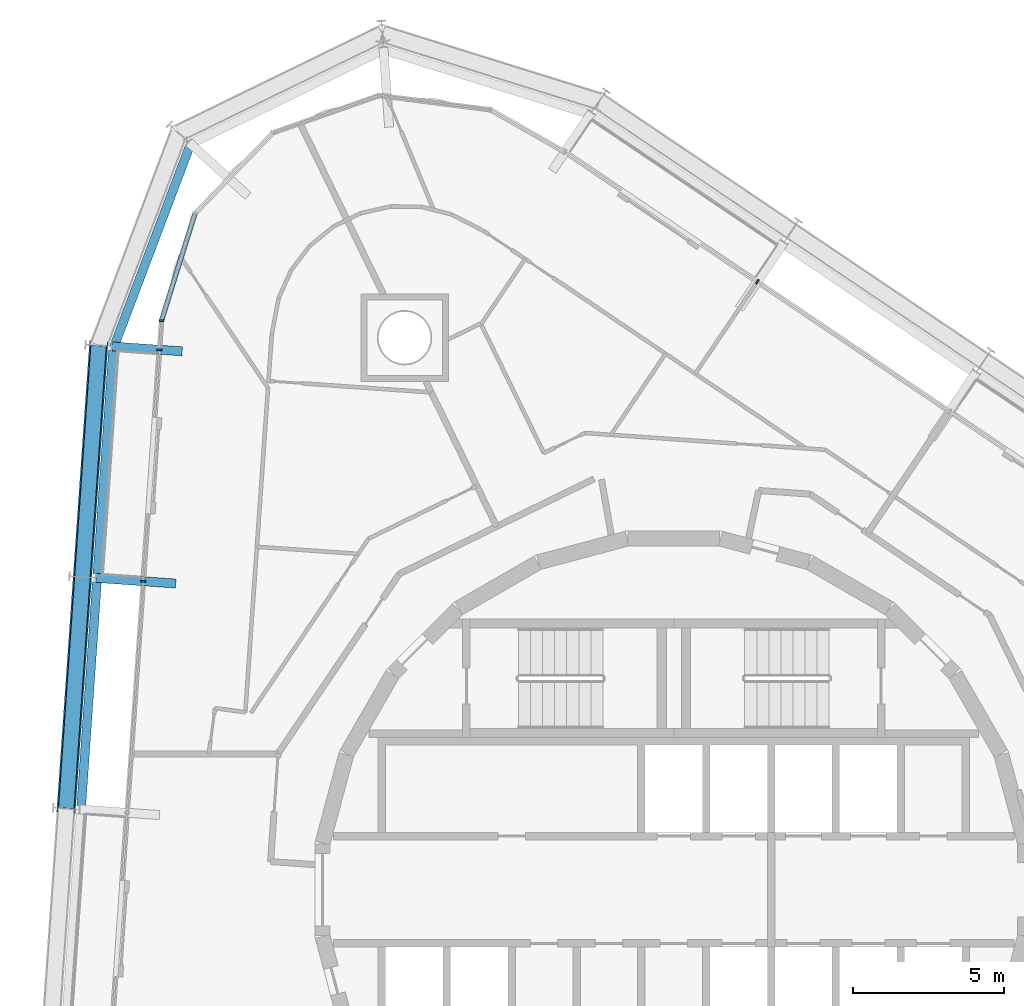
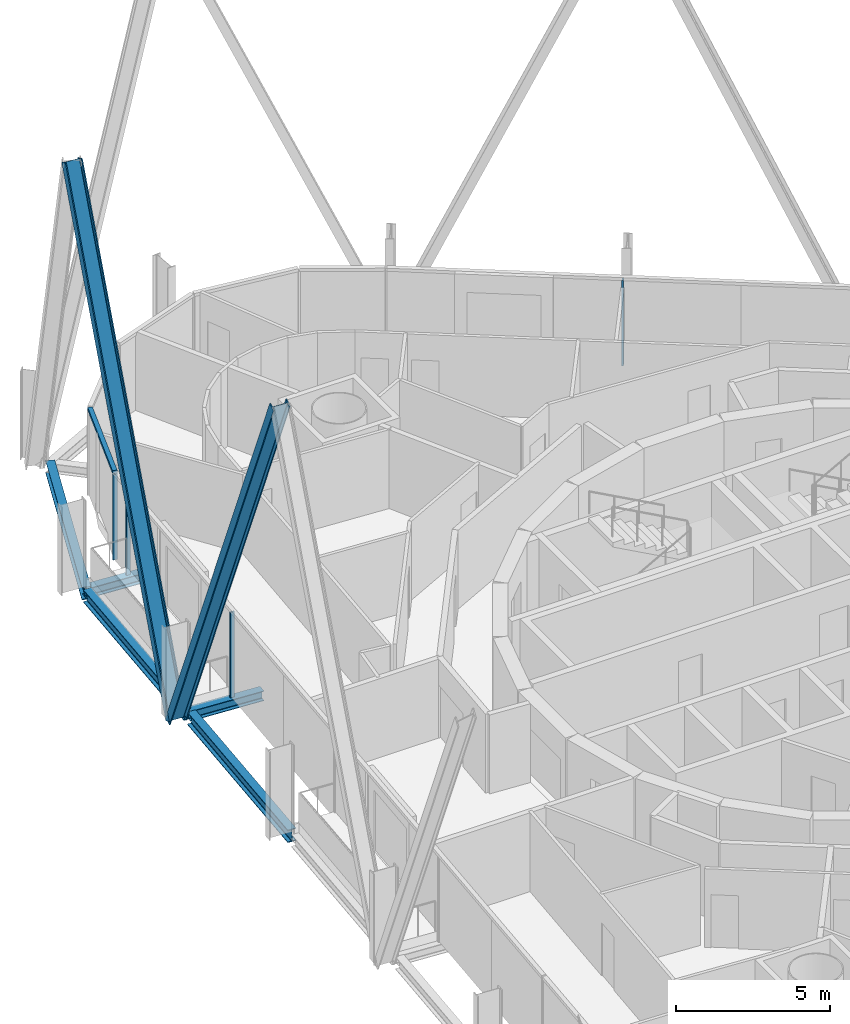
# One storey, part 6 of 18: 7 members, 5 beams, 3 elements without a shape of their own.
"""IFC4 building model written with IfcOpenShell, lengths in metres."""

from ifc_helpers import new_model, si_unit, direction, frame, origin, origin_2d, place, context, subcontext, project, spatial, rectangle, i_section, extrude, material, layer, layer_set, material_profile, profile_set, type_object, element, aggregate, save


model = new_model("IFC4")

# Units and contexts
model_context = context("Model", 3, precision=1e-05, world=origin(), true_north=direction((0.0, 1.0)))
body_context = subcontext(model_context, "Body", "Model", "MODEL_VIEW")
ifc_project = project(units=[si_unit("LENGTHUNIT", "METRE"), si_unit("AREAUNIT", "SQUARE_METRE"), si_unit("VOLUMEUNIT", "CUBIC_METRE"), si_unit("PLANEANGLEUNIT", "RADIAN"), si_unit("MASSUNIT", "GRAM", prefix="KILO")], contexts=[model_context])

# Site, building, storey
site_placement = place(None, origin())
site = spatial("IfcSite", under=ifc_project, at=site_placement, CompositionType="ELEMENT")
building_placement = place(site_placement, origin())
building = spatial("IfcBuilding", under=site, at=building_placement, Name="Spindle Arch Residences", CompositionType="ELEMENT")
storey_placement = place(building_placement, frame((0.0, 0.0, 202.39990234375)))
storey = spatial("IfcBuildingStorey", under=building, at=storey_placement, Name="L51", CompositionType="ELEMENT", Elevation=202.39990234375)

# Curtain wall, member
ifc_material_1 = material(Name="Aluminium bronze unitised frame with tinted glass", Category="aluminium")
ifc_layer_1 = layer(ifc_material_1, 0.159912109375)
ifc_layer_set_1 = layer_set([ifc_layer_1], Name="CW-C typical residential unitised wall")
curtain_wall_type_1 = type_object("IfcCurtainWallType", Name="CW-C typical residential unitised wall", PredefinedType="NOTDEFINED", material=ifc_layer_set_1)
curtain_wall_1_placement = place(storey_placement, origin())
curtain_wall_1 = element("IfcCurtainWall", 1, at=curtain_wall_1_placement, inside=storey, type_object=curtain_wall_type_1, Name="CW-C L51 run 2", PredefinedType="NOTDEFINED")
ifc_material_2 = material(Name="Aluminium bronze anodised mullion", Category="aluminium")
ifc_material_profile_1 = material_profile(ifc_material_2, rectangle(XDim=0.159912109375, YDim=0.06005859375, at=origin_2d()), Name="MU 60x160")
ifc_profile_set_1 = profile_set([ifc_material_profile_1], Name="Aluminium bronze anodised mullion")
member_type_1 = type_object("IfcMemberType", Name="Bronze mullion 60x160", PredefinedType="MULLION", material=ifc_profile_set_1)
member_1_placement = place(storey_placement, frame((2.769775390625, 20.158203125, -0.3798828125), z_axis=(0.0, 0.0, 1.0), x_axis=(-0.559192903471, -0.829037572555, 0.0)))
member_1 = element("IfcMember", 2, at=member_1_placement, type_object=member_type_1, Name="CW-C mullion 08", PredefinedType="MULLION", context=body_context, shape_type="SweptSolid", body=[
    extrude(rectangle(XDim=0.159912109375, YDim=0.06005859375, at=origin_2d()), origin(), (0.0, 0.0, 1.0), 3.3798828125),
])
aggregate(curtain_wall_1, [member_1])

ifc_material_3 = material(Name="Aluminium bronze unitised frame with tinted glass", Category="aluminium")
ifc_layer_2 = layer(ifc_material_3, 0.159912109375)
ifc_layer_set_2 = layer_set([ifc_layer_2], Name="CW-D corner wall on the fillet arcs")
curtain_wall_type_2 = type_object("IfcCurtainWallType", Name="CW-D corner wall on the fillet arcs", PredefinedType="NOTDEFINED", material=ifc_layer_set_2)
curtain_wall_2_placement = place(storey_placement, origin())
curtain_wall_2 = element("IfcCurtainWall", 3, at=curtain_wall_2_placement, inside=storey, type_object=curtain_wall_type_2, Name="CW-D L51 run 3", PredefinedType="NOTDEFINED")
member_2_placement = place(storey_placement, frame((-16.986328125, 18.864501953125, -0.3798828125), z_axis=(0.0, 0.0, 1.0), x_axis=(0.99756405026, -0.069756473744, 0.0)))
member_2 = element("IfcMember", 4, at=member_2_placement, type_object=member_type_1, Name="CW-D mullion 05", PredefinedType="MULLION", context=body_context, shape_type="SweptSolid", body=[
    extrude(rectangle(XDim=0.159912109375, YDim=0.06005859375, at=origin_2d()), origin(), (0.0, 0.0, 1.0), 3.3798828125),
])

# Curtain wall, members
curtain_wall_3_placement = place(storey_placement, origin())
curtain_wall_3 = element("IfcCurtainWall", 5, at=curtain_wall_3_placement, inside=storey, type_object=curtain_wall_type_1, Name="CW-C L51 run 4", PredefinedType="NOTDEFINED")
member_3_placement = place(storey_placement, frame((-17.053466796875, 17.90283203125, -0.3798828125), z_axis=(0.0, 0.0, 1.0), x_axis=(0.99756405026, -0.069756473744, 0.0)))
member_3 = element("IfcMember", 6, at=member_3_placement, type_object=member_type_1, Name="CW-C mullion 12", PredefinedType="MULLION", context=body_context, shape_type="SweptSolid", body=[
    extrude(rectangle(XDim=0.159912109375, YDim=0.06005859375, at=origin_2d()), origin(), (0.0, 0.0, 1.0), 3.3798828125),
])
member_4_placement = place(storey_placement, frame((-17.590087890625, 10.22802734375, -0.3798828125), z_axis=(0.0, 0.0, 1.0), x_axis=(0.99756405026, -0.069756473744, 0.0)))
member_4 = element("IfcMember", 7, at=member_4_placement, type_object=member_type_1, Name="CW-C mullion 13", PredefinedType="MULLION", context=body_context, shape_type="SweptSolid", body=[
    extrude(rectangle(XDim=0.159912109375, YDim=0.06005859375, at=origin_2d()), origin(), (0.0, 0.0, 1.0), 3.3798828125),
])
aggregate(curtain_wall_3, [member_3, member_4])

# Member
ifc_material_4 = material(Name="Aluminium bronze anodised transom", Category="aluminium")
ifc_material_profile_2 = material_profile(ifc_material_4, rectangle(XDim=0.159912109375, YDim=0.1201171875, at=origin_2d()), Name="TR 120x160")
ifc_profile_set_2 = profile_set([ifc_material_profile_2], Name="Aluminium bronze anodised transom")
member_type_2 = type_object("IfcMemberType", Name="Bronze transom 120x160", PredefinedType="USERDEFINED", material=ifc_profile_set_2)
member_5_placement = place(storey_placement, frame((-15.884765625, 22.393310546875, 3.06005859375), z_axis=(-0.297952730594, -0.95458062537, 0.0), x_axis=(0.95458062537, -0.297952730594, 0.0)))
member_5 = element("IfcMember", 8, at=member_5_placement, type_object=member_type_2, Name="CW-D transom 04", ObjectType="TRANSOM", PredefinedType="USERDEFINED", context=body_context, shape_type="SweptSolid", body=[
    extrude(rectangle(XDim=0.159912109375, YDim=0.1201171875, at=origin_2d()), origin(), (0.0, 0.0, 1.0), 3.666748046875),
])

aggregate(curtain_wall_2, [member_5, member_2])

# Members
ifc_material_5 = material(Name="Steel S460ML, intumescent coating R 240", Category="steel")
ifc_material_profile_3 = material_profile(ifc_material_5, i_section(OverallWidth=0.304931640625, OverallDepth=0.6201171875, WebThickness=0.02099609375, FlangeThickness=0.0400390625, FilletRadius=0.027099609375, at=origin_2d()), Name="HEM 600")
ifc_profile_set_3 = profile_set([ifc_material_profile_3], Name="Steel S460ML, intumescent coating R 240")
member_type_3 = type_object("IfcMemberType", Name="Diagrid diagonal HEM 600", PredefinedType="BRACE", material=ifc_profile_set_3)
for number, where, z_axis, x_axis, name in (
    (9, (-19.605224609375, 10.368896484375, -0.6298828125), (0.028379331728, 0.405883836306, 0.913483948932), (-0.063715094162, -0.911259190205, 0.406874765798), "Diagrid diagonal 5.2.13"),
    (10, (-19.605224609375, 10.368896484375, -0.6298828125), (-0.028379183004, -0.405894620603, 0.913479161742), (0.063712743373, 0.911254555692, 0.406885513459), "Diagrid diagonal 5.2.14"),
):
    element("IfcMember", number, at=place(storey_placement, frame(where, z_axis=z_axis, x_axis=x_axis)), inside=storey, type_object=member_type_3, Name=name, PredefinedType="BRACE", context=body_context, shape_type="SweptSolid", body=[
        extrude(i_section(OverallWidth=0.304931640625, OverallDepth=0.6201171875, WebThickness=0.02099609375, FlangeThickness=0.0400390625, FilletRadius=0.027099609375, at=origin_2d()), origin(), (0.0, 0.0, 1.0), 18.908935546875),
    ])

# Beams
ifc_material_6 = material(Name="Steel S460ML, intumescent coating R 120", Category="steel")
ifc_material_profile_4 = material_profile(ifc_material_6, i_section(OverallWidth=0.300048828125, OverallDepth=0.5, WebThickness=0.014404296875, FlangeThickness=0.028076171875, FilletRadius=0.027099609375, at=origin_2d()), Name="HEB 500")
ifc_profile_set_4 = profile_set([ifc_material_profile_4], Name="Steel S460ML, intumescent coating R 120")
beam_type_1 = type_object("IfcBeamType", Name="Exoskeleton edge beam HEB 500", PredefinedType="BEAM", material=ifc_profile_set_4)
beam_1_placement = place(storey_placement, frame((-16.005859375, 24.768310546875, -0.6298828125), z_axis=(-0.353273753707, -0.935519991738, 0.0), x_axis=(0.935519991738, -0.353273753707, 0.0)))
element("IfcBeam", 11, at=beam_1_placement, inside=storey, type_object=beam_type_1, Name="Exoskeleton edge beam 12", PredefinedType="BEAM", context=body_context, shape_type="SweptSolid", body=[
    extrude(i_section(OverallWidth=0.300048828125, OverallDepth=0.5, WebThickness=0.014404296875, FlangeThickness=0.028076171875, FilletRadius=0.027099609375, at=origin_2d()), origin(), (0.0, 0.0, 1.0), 7.26318359375),
])
beam_2_placement = place(storey_placement, frame((-18.5888671875, 17.8798828125, -0.6298828125), z_axis=(-0.069757879566, -0.997563951954, 0.0), x_axis=(0.997563951954, -0.069757879566, 0.0)))
element("IfcBeam", 12, at=beam_2_placement, inside=storey, type_object=beam_type_1, Name="Exoskeleton edge beam 13", PredefinedType="BEAM", context=body_context, shape_type="SweptSolid", body=[
    extrude(i_section(OverallWidth=0.300048828125, OverallDepth=0.5, WebThickness=0.014404296875, FlangeThickness=0.028076171875, FilletRadius=0.027099609375, at=origin_2d()), origin(), (0.0, 0.0, 1.0), 7.43359375),
])
beam_3_placement = place(storey_placement, frame((-19.12548828125, 10.205078125, -0.6298828125), z_axis=(-0.069755594186, -0.997564111764, 0.0), x_axis=(0.997564111764, -0.069755594186, 0.0)))
element("IfcBeam", 13, at=beam_3_placement, inside=storey, type_object=beam_type_1, Name="Exoskeleton edge beam 14", PredefinedType="BEAM", context=body_context, shape_type="SweptSolid", body=[
    extrude(i_section(OverallWidth=0.300048828125, OverallDepth=0.5, WebThickness=0.014404296875, FlangeThickness=0.028076171875, FilletRadius=0.027099609375, at=origin_2d()), origin(), (0.0, 0.0, 1.0), 7.433837890625),
])
ifc_material_7 = material(Name="Steel S460ML, intumescent coating R 120", Category="steel")
ifc_material_profile_5 = material_profile(ifc_material_7, i_section(OverallWidth=0.300048828125, OverallDepth=0.389892578125, WebThickness=0.010986328125, FlangeThickness=0.01904296875, FilletRadius=0.027099609375, at=origin_2d()), Name="HEA 400")
ifc_profile_set_5 = profile_set([ifc_material_profile_5], Name="Steel S460ML, intumescent coating R 120")
beam_type_2 = type_object("IfcBeamType", Name="Floor outrigger HEA 400", PredefinedType="BEAM", material=ifc_profile_set_5)
beam_4_placement = place(storey_placement, frame((-18.61962890625, 18.012451171875, -0.574951171875), z_axis=(0.997565099834, -0.069741462509, 0.0), x_axis=(0.069741462509, 0.997565099834, 0.0)))
element("IfcBeam", 14, at=beam_4_placement, inside=storey, type_object=beam_type_2, Name="Floor outrigger 13", PredefinedType="BEAM", context=body_context, shape_type="SweptSolid", body=[
    extrude(i_section(OverallWidth=0.300048828125, OverallDepth=0.389892578125, WebThickness=0.010986328125, FlangeThickness=0.01904296875, FilletRadius=0.027099609375, at=origin_2d()), origin(), (0.0, 0.0, 1.0), 2.327880859375),
])
beam_5_placement = place(storey_placement, frame((-19.15625, 10.33740234375, -0.574951171875), z_axis=(0.997565124092, -0.069741115528, 0.0), x_axis=(0.069741115528, 0.997565124092, 0.0)))
element("IfcBeam", 15, at=beam_5_placement, inside=storey, type_object=beam_type_2, Name="Floor outrigger 14", PredefinedType="BEAM", context=body_context, shape_type="SweptSolid", body=[
    extrude(i_section(OverallWidth=0.300048828125, OverallDepth=0.389892578125, WebThickness=0.010986328125, FlangeThickness=0.01904296875, FilletRadius=0.027099609375, at=origin_2d()), origin(), (0.0, 0.0, 1.0), 2.64990234375),
])

save(model, "model.ifc")
